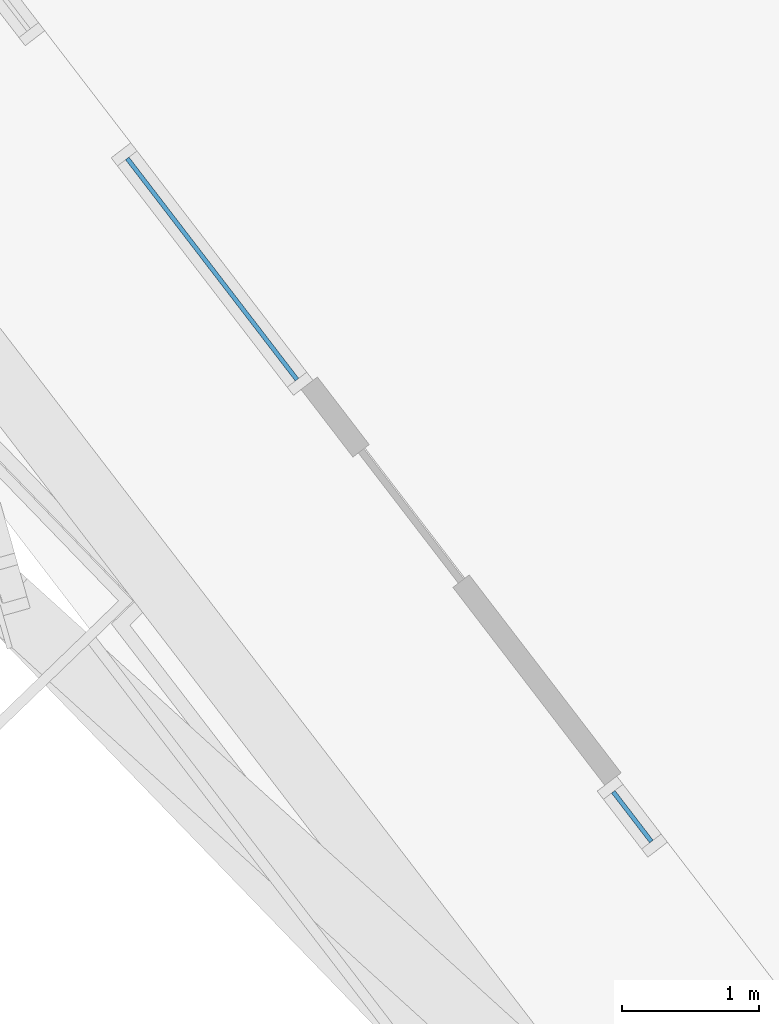
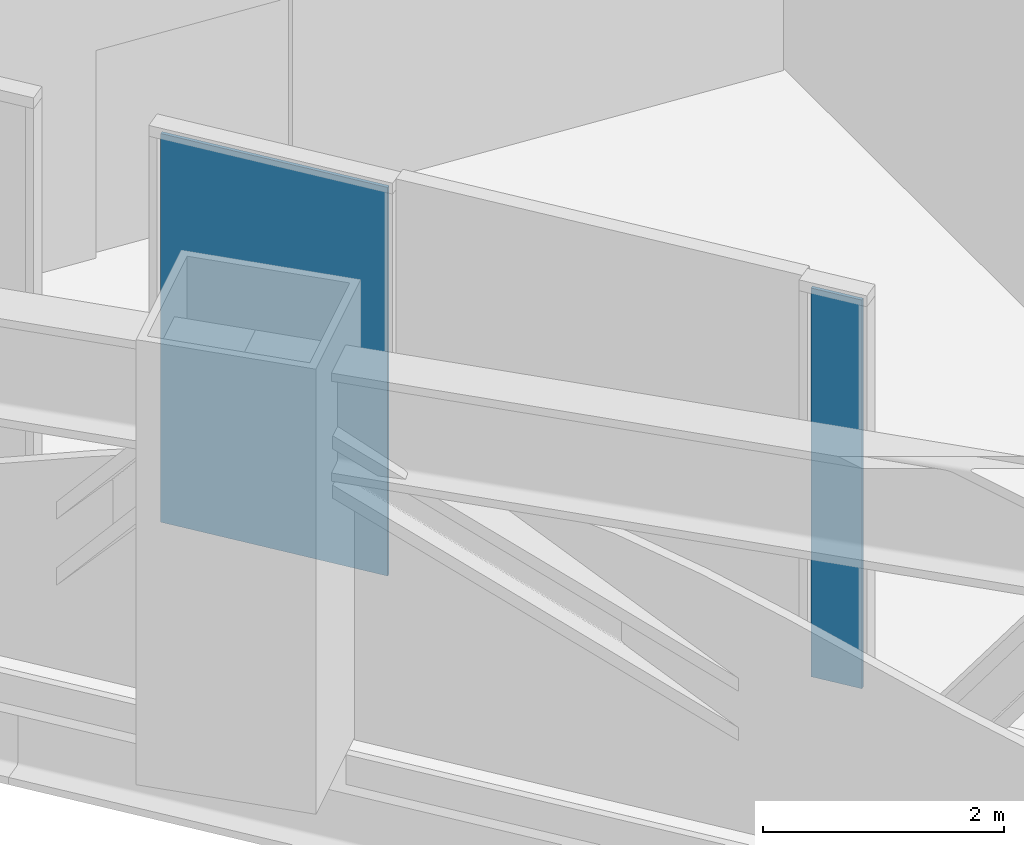
# One storey, part 12 of 31: 2 plates, 2 elements without a shape of their own.
"""IFC4 building model written with IfcOpenShell, lengths in metres."""

from ifc_helpers import new_model, si_unit, direction, frame, origin, origin_2d, place, context, subcontext, project, spatial, rectangle, extrude, material, layer, layer_set, type_object, element, aggregate, save


model = new_model("IFC4")

# Units and contexts
model_context = context("Model", 3, precision=1e-05, world=origin(), true_north=direction((0.0, 1.0)))
body_context = subcontext(model_context, "Body", "Model", "MODEL_VIEW")
ifc_project = project(units=[si_unit("LENGTHUNIT", "METRE"), si_unit("AREAUNIT", "SQUARE_METRE"), si_unit("VOLUMEUNIT", "CUBIC_METRE"), si_unit("PLANEANGLEUNIT", "RADIAN"), si_unit("MASSUNIT", "GRAM", prefix="KILO")], contexts=[model_context])

# Site, building, storey
site_placement = place(None, origin())
site = spatial("IfcSite", under=ifc_project, at=site_placement, CompositionType="ELEMENT")
building_placement = place(site_placement, origin())
building = spatial("IfcBuilding", under=site, at=building_placement, Name="Trine Commons Tower", CompositionType="ELEMENT")
storey_placement = place(building_placement, frame((0.0, 0.0, 82.800048828125)))
storey = spatial("IfcBuildingStorey", under=building, at=storey_placement, Name="L20", CompositionType="ELEMENT", Elevation=82.800048828125)

# Curtain wall, plate
ifc_material_1 = material(Name="Sky lounge glazing: anodised aluminium frame with low-emissivity double glazed unit, solar control", Category="aluminium")
ifc_layer_1 = layer(ifc_material_1, 0.179931640625)
ifc_layer_set_1 = layer_set([ifc_layer_1], Name="Sky lounge glazing: anodised aluminium frame with low-emissivity double glazed unit, solar control")
curtain_wall_type = type_object("IfcCurtainWallType", Name="Sky lounge glazing curtain wall CW5", PredefinedType="NOTDEFINED", material=ifc_layer_set_1)
curtain_wall_1_placement = place(storey_placement, origin())
curtain_wall_1 = element("IfcCurtainWall", 1, at=curtain_wall_1_placement, inside=storey, type_object=curtain_wall_type, Name="Sky lounge glazing L20 F3.1", PredefinedType="NOTDEFINED")
ifc_material_2 = material(Name="Low-emissivity double glazed unit, solar control")
ifc_layer_2 = layer(ifc_material_2, 0.031982421875)
ifc_layer_set_2 = layer_set([ifc_layer_2], Name="Low-emissivity double glazed unit, solar control")
plate_type = type_object("IfcPlateType", Name="Double glazed unit 32 mm (sky floors)", PredefinedType="CURTAIN_PANEL", material=ifc_layer_set_2)
plate_1_placement = place(storey_placement, frame((62.36572265625, 55.47509765625, 0.10986328125), z_axis=(0.0, 0.0, 1.0), x_axis=(-0.608761429009, 0.793353340291, 0.0)))
plate_1 = element("IfcPlate", 2, at=plate_1_placement, type_object=plate_type, Name="CW5 panel 1.1", PredefinedType="CURTAIN_PANEL", context=body_context, shape_type="SweptSolid", body=[
    extrude(rectangle(XDim=0.457763671875, YDim=0.031982421875, at=origin_2d()), origin(), (0.0, 0.0, 1.0), 3.929931640625),
])
aggregate(curtain_wall_1, [plate_1])

curtain_wall_2_placement = place(storey_placement, origin())
curtain_wall_2 = element("IfcCurtainWall", 3, at=curtain_wall_2_placement, inside=storey, type_object=curtain_wall_type, Name="Sky lounge glazing L20 F3.2", PredefinedType="NOTDEFINED")
plate_2_placement = place(storey_placement, frame((59.297119140625, 59.47412109375, 0.10986328125), z_axis=(0.0, 0.0, 1.0), x_axis=(-0.608761429009, 0.793353340291, 0.0)))
plate_2 = element("IfcPlate", 4, at=plate_2_placement, type_object=plate_type, Name="CW5 panel 1.1", PredefinedType="CURTAIN_PANEL", context=body_context, shape_type="SweptSolid", body=[
    extrude(rectangle(XDim=2.036376953125, YDim=0.031982421875, at=origin_2d()), origin(), (0.0, 0.0, 1.0), 3.929931640625),
])
aggregate(curtain_wall_2, [plate_2])

save(model, "model.ifc")
